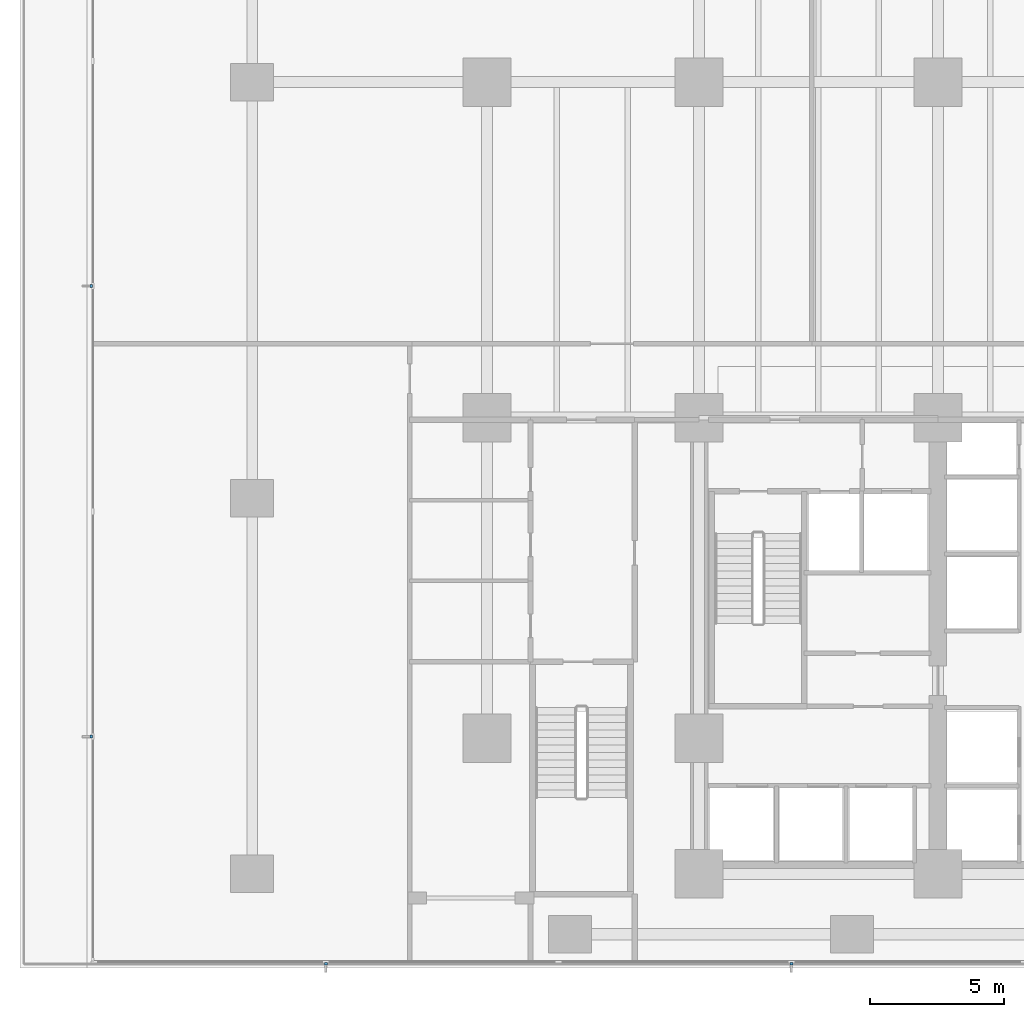
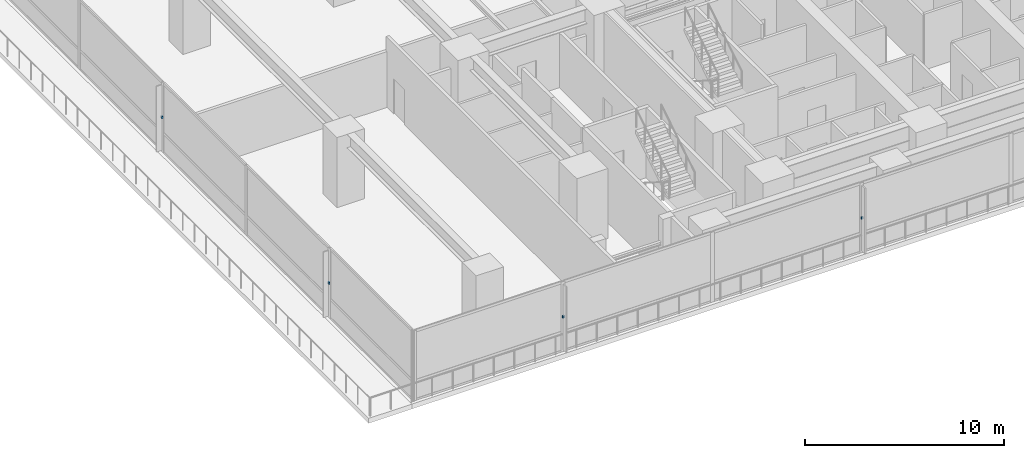
# One storey, part 14 of 27: 4 discrete accessories.
"""IFC4 building model written with IfcOpenShell, lengths in metres."""

from ifc_helpers import new_model, si_unit, direction, frame, origin, place, context, subcontext, project, spatial, polyline, outline, extrude, material, type_object, element, save


model = new_model("IFC4")

# Units and contexts
model_context = context("Model", 3, precision=1e-05, world=origin(), true_north=direction((0.0, 1.0)))
body_context = subcontext(model_context, "Body", "Model", "MODEL_VIEW")
ifc_project = project(units=[si_unit("LENGTHUNIT", "METRE"), si_unit("AREAUNIT", "SQUARE_METRE"), si_unit("VOLUMEUNIT", "CUBIC_METRE"), si_unit("PLANEANGLEUNIT", "RADIAN"), si_unit("MASSUNIT", "GRAM", prefix="KILO")], contexts=[model_context])

# Site, building, storey
site_placement = place(None, origin())
site = spatial("IfcSite", under=ifc_project, at=site_placement, CompositionType="ELEMENT")
building_placement = place(site_placement, origin())
building = spatial("IfcBuilding", under=site, at=building_placement, Name="Qalmaran Belvedere Hotel", CompositionType="ELEMENT")
storey_placement = place(building_placement, frame((0.0, 0.0, 5.39990234375)))
storey = spatial("IfcBuildingStorey", under=building, at=storey_placement, Name="L01", CompositionType="ELEMENT", Elevation=5.39990234375)

# Discrete accessories
ifc_material = material(Name="Stainless Steel 1.4401", Category="steel")
discrete_accessory_type = type_object("IfcDiscreteAccessoryType", Name="BRK-FIN-SS316", PredefinedType="BRACKET", material=ifc_material)
discrete_accessory_1_placement = place(storey_placement, frame((0.0, 0.0, 2.10009765625)))
element("IfcDiscreteAccessory", 1, at=discrete_accessory_1_placement, inside=storey, type_object=discrete_accessory_type, Name="L01 Fin Bracket 1", PredefinedType="BRACKET", context=body_context, shape_type="SweptSolid", body=[
    extrude(outline(polyline([(6.33837890625, 0.205078125), (6.33837890625, 0.107421875), (6.4482421875, 0.107421875), (6.4482421875, 0.205078125), (6.33837890625, 0.205078125)])), origin(), (0.0, 0.0, 1.0), 0.139892578125),
])
discrete_accessory_2_placement = place(storey_placement, frame((0.0, 0.0, 2.10009765625)))
element("IfcDiscreteAccessory", 2, at=discrete_accessory_2_placement, inside=storey, type_object=discrete_accessory_type, Name="L01 Fin Bracket 3", PredefinedType="BRACKET", context=body_context, shape_type="SweptSolid", body=[
    extrude(outline(polyline([(23.68505859375, 0.205078125), (23.68505859375, 0.107421875), (23.794921875, 0.107421875), (23.794921875, 0.205078125), (23.68505859375, 0.205078125)])), origin(), (0.0, 0.0, 1.0), 0.139892578125),
])
discrete_accessory_3_placement = place(storey_placement, frame((0.0, 0.0, 2.10009765625)))
element("IfcDiscreteAccessory", 3, at=discrete_accessory_3_placement, inside=storey, type_object=discrete_accessory_type, Name="L01 Fin Bracket 3", PredefinedType="BRACKET", context=body_context, shape_type="SweptSolid", body=[
    extrude(outline(polyline([(-2.294921875, 25.455078125), (-2.392578125, 25.455078125), (-2.392578125, 25.344970703125), (-2.294921875, 25.344970703125), (-2.294921875, 25.455078125)])), origin(), (0.0, 0.0, 1.0), 0.139892578125),
])
discrete_accessory_4_placement = place(storey_placement, frame((0.0, 0.0, 2.10009765625)))
element("IfcDiscreteAccessory", 4, at=discrete_accessory_4_placement, inside=storey, type_object=discrete_accessory_type, Name="L01 Fin Bracket 5", PredefinedType="BRACKET", context=body_context, shape_type="SweptSolid", body=[
    extrude(outline(polyline([(-2.294921875, 8.668212890625), (-2.392578125, 8.668212890625), (-2.392578125, 8.558349609375), (-2.294921875, 8.558349609375), (-2.294921875, 8.668212890625)])), origin(), (0.0, 0.0, 1.0), 0.139892578125),
])

save(model, "model.ifc")
